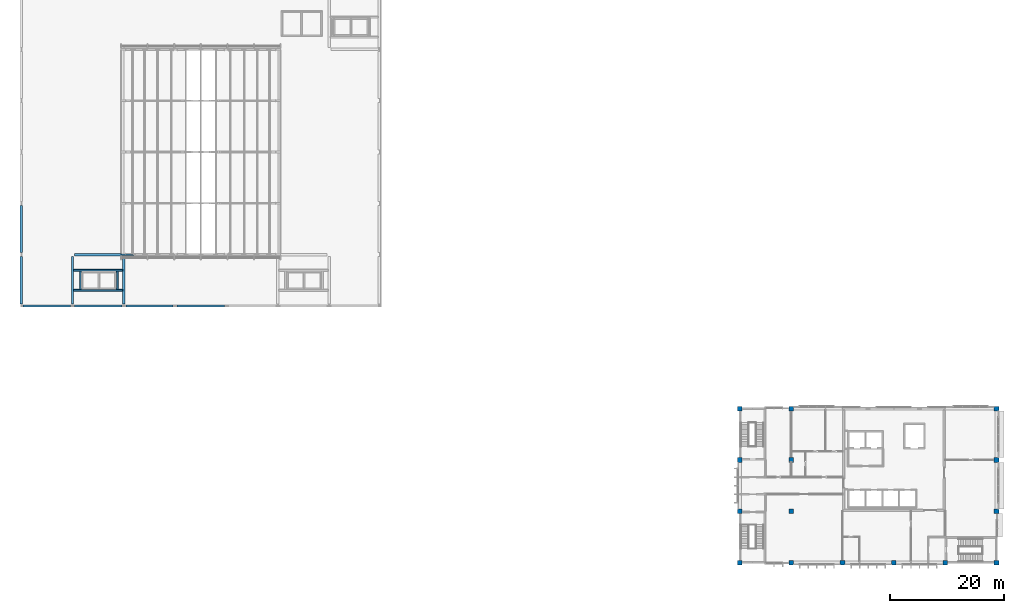
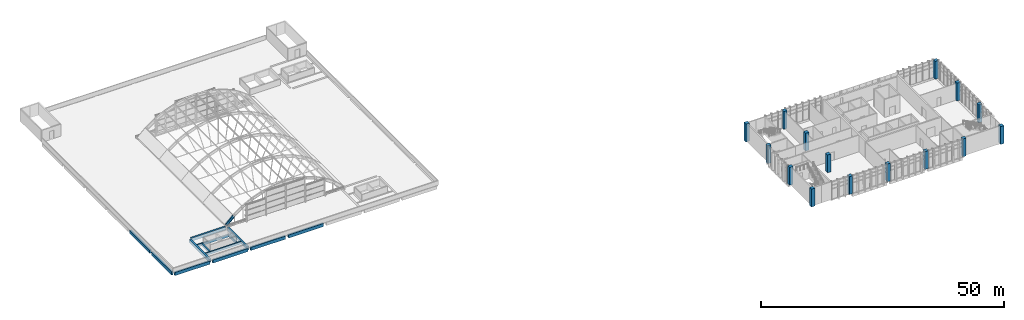
# One storey, part 1 of 43: 15 columns, 14 beams.
"""IFC4 building model written with IfcOpenShell, lengths in metres."""

from ifc_helpers import new_model, si_unit, direction, frame, origin, origin_2d, place, context, subcontext, project, spatial, rectangle, i_section, extrude, material, material_profile, profile_set, type_object, element, save


model = new_model("IFC4")

# Units and contexts
model_context = context("Model", 3, precision=1e-05, world=origin(), true_north=direction((0.0, 1.0)))
body_context = subcontext(model_context, "Body", "Model", "MODEL_VIEW")
ifc_project = project(units=[si_unit("LENGTHUNIT", "METRE"), si_unit("AREAUNIT", "SQUARE_METRE"), si_unit("VOLUMEUNIT", "CUBIC_METRE"), si_unit("PLANEANGLEUNIT", "RADIAN"), si_unit("MASSUNIT", "GRAM", prefix="KILO")], contexts=[model_context])

# Site, building, storey
site_placement = place(None, origin())
site = spatial("IfcSite", under=ifc_project, at=site_placement, CompositionType="ELEMENT")
building_placement = place(site_placement, origin())
building = spatial("IfcBuilding", under=site, at=building_placement, Name="Guidao Yard Department Store", CompositionType="ELEMENT")
storey_placement = place(building_placement, frame((0.0, 0.0, 28.5)))
storey = spatial("IfcBuildingStorey", under=building, at=storey_placement, Name="L06", CompositionType="ELEMENT", Elevation=28.5)

# Columns
ifc_material_1 = material(Name="Concrete C40", Category="concrete")
ifc_material_profile_1 = material_profile(ifc_material_1, rectangle(XDim=0.800048828125, YDim=0.800048828125, at=origin_2d()), Name="COL 800x800")
ifc_profile_set_1 = profile_set([ifc_material_profile_1], Name="Concrete C40")
column_type = type_object("IfcColumnType", Name="Column 800x800 C40", PredefinedType="COLUMN", material=ifc_profile_set_1)
for number, where, z_axis, x_axis, name in (
    (1, (126.0, 0.0, 0.0), (0.0, 0.0, 1.0), (1.0, 0.0, 0.0), "Column 15/A L06"),
    (2, (135.0, 0.0, 0.0), (0.0, 0.0, 1.0), (1.0, 0.0, 0.0), "Column 16/A L06"),
    (3, (144.0, 0.0, 0.0), (0.0, 0.0, 1.0), (1.0, 0.0, 0.0), "Column 17/A L06"),
    (4, (153.0, 0.0, 0.0), (0.0, 0.0, 1.0), (1.0, 0.0, 0.0), "Column 18/A L06"),
    (5, (162.0, 0.0, 0.0), (0.0, 0.0, 1.0), (1.0, 0.0, 0.0), "Column 19/A L06"),
    (6, (171.0, 0.0, 0.0), (0.0, 0.0, 1.0), (1.0, 0.0, 0.0), "Column 20/A L06"),
    (7, (126.0, 9.0, 0.0), (0.0, 0.0, 1.0), (1.0, 0.0, 0.0), "Column 15/B L06"),
    (8, (135.0, 9.0, 0.0), (0.0, 0.0, 1.0), (1.0, 0.0, 0.0), "Column 16/B L06"),
    (9, (171.0, 9.0, 0.0), (0.0, 0.0, 1.0), (1.0, 0.0, 0.0), "Column 20/B L06"),
    (10, (126.0, 18.0, 0.0), (0.0, 0.0, 1.0), (1.0, 0.0, 0.0), "Column 15/C L06"),
    (11, (135.0, 18.0, 0.0), (0.0, 0.0, 1.0), (1.0, 0.0, 0.0), "Column 16/C L06"),
    (12, (171.0, 18.0, 0.0), (0.0, 0.0, 1.0), (1.0, 0.0, 0.0), "Column 20/C L06"),
    (13, (126.0, 27.0, 0.0), (0.0, 0.0, 1.0), (1.0, 0.0, 0.0), "Column 15/D L06"),
    (14, (135.0, 27.0, 0.0), (0.0, 0.0, 1.0), (1.0, 0.0, 0.0), "Column 16/D L06"),
    (15, (171.0, 27.0, 0.0), (0.0, 0.0, 1.0), (1.0, 0.0, 0.0), "Column 20/D L06"),
):
    element("IfcColumn", number, at=place(storey_placement, frame(where, z_axis=z_axis, x_axis=x_axis)), inside=storey, type_object=column_type, Name=name, PredefinedType="COLUMN", context=body_context, shape_type="SweptSolid", body=[
        extrude(rectangle(XDim=0.800048828125, YDim=0.800048828125, at=origin_2d()), origin(), (0.0, 0.0, 1.0), 4.5),
    ])

# Beams
ifc_material_2 = material(Name="Concrete C40", Category="concrete")
ifc_material_profile_2 = material_profile(ifc_material_2, rectangle(XDim=0.39990234375, YDim=0.800048828125, at=origin_2d()), Name="Edge beam 400 x 800 C40")
ifc_profile_set_2 = profile_set([ifc_material_profile_2], Name="Concrete C40")
beam_type_1 = type_object("IfcBeamType", Name="Edge beam 400 x 800 C40", PredefinedType="BEAM", material=ifc_profile_set_2)
beam_1_placement = place(storey_placement, frame((9.35009765625, 54.0, -0.39990234375), z_axis=(1.0, 0.0, 0.0), x_axis=(0.0, 1.0, 0.0)))
element("IfcBeam", 16, at=beam_1_placement, inside=storey, type_object=beam_type_1, Name="Beam EB25", PredefinedType="BEAM", context=body_context, shape_type="SweptSolid", body=[
    extrude(rectangle(XDim=0.39990234375, YDim=0.800048828125, at=origin_2d()), origin(), (0.0, 0.0, 1.0), 8.25),
])
beam_2_placement = place(storey_placement, frame((9.0, 45.35009765625, -0.39990234375), z_axis=(0.0, 1.0, 0.0), x_axis=(-1.0, 0.0, 0.0)))
element("IfcBeam", 17, at=beam_2_placement, inside=storey, type_object=beam_type_1, Name="Beam EB26", PredefinedType="BEAM", context=body_context, shape_type="SweptSolid", body=[
    extrude(rectangle(XDim=0.39990234375, YDim=0.800048828125, at=origin_2d()), origin(), (0.0, 0.0, 1.0), 8.2998046875),
])
beam_3_placement = place(storey_placement, frame((18.0, 45.35009765625, -0.39990234375), z_axis=(0.0, 1.0, 0.0), x_axis=(-1.0, 0.0, 0.0)))
element("IfcBeam", 18, at=beam_3_placement, inside=storey, type_object=beam_type_1, Name="Beam EB27", PredefinedType="BEAM", context=body_context, shape_type="SweptSolid", body=[
    extrude(rectangle(XDim=0.39990234375, YDim=0.800048828125, at=origin_2d()), origin(), (0.0, 0.0, 1.0), 8.25),
])
ifc_material_3 = material(Name="Steel Q355B", Category="steel")
ifc_material_profile_3 = material_profile(ifc_material_3, i_section(OverallWidth=0.300048828125, OverallDepth=0.699951171875, WebThickness=0.012939453125, FlangeThickness=0.02392578125, FilletRadius=0.01806640625, at=origin_2d()), Name="HN 700x300x13x24")
ifc_profile_set_3 = profile_set([ifc_material_profile_3], Name="Steel Q355B")
beam_type_2 = type_object("IfcBeamType", Name="HN 700x300x13x24", PredefinedType="BEAM", material=ifc_profile_set_3)
beam_4_placement = place(storey_placement, frame((17.74462890625, 54.0, 0.25439453125), z_axis=(0.726628290109, 0.0, 0.687030805724), x_axis=(0.0, 1.0, 0.0)))
element("IfcBeam", 19, at=beam_4_placement, inside=storey, type_object=beam_type_2, Name="Roof rib A01-01", PredefinedType="BEAM", context=body_context, shape_type="SweptSolid", body=[
    extrude(i_section(OverallWidth=0.300048828125, OverallDepth=0.699951171875, WebThickness=0.012939453125, FlangeThickness=0.02392578125, FilletRadius=0.01806640625, at=origin_2d()), origin(), (0.0, 0.0, 1.0), 2.533935546875),
])
ifc_material_4 = material(Name="Concrete C40", Category="concrete")
ifc_material_profile_4 = material_profile(ifc_material_4, rectangle(XDim=0.300048828125, YDim=0.60009765625, at=origin_2d()), Name="Opening beam 300 x 600 C40")
ifc_profile_set_4 = profile_set([ifc_material_profile_4], Name="Concrete C40")
beam_type_3 = type_object("IfcBeamType", Name="Opening beam 300 x 600 C40", PredefinedType="BEAM", material=ifc_profile_set_4)
for number, where, z_axis, x_axis, name in (
    (20, (9.199951171875, 47.75, -0.300048828125), (1.0, 0.0, 0.0), (0.0, 1.0, 0.0), "Beam OB01"),
    (21, (9.199951171875, 51.25, -0.300048828125), (1.0, 0.0, 0.0), (0.0, 1.0, 0.0), "Beam OB02"),
):
    element("IfcBeam", number, at=place(storey_placement, frame(where, z_axis=z_axis, x_axis=x_axis)), inside=storey, type_object=beam_type_3, Name=name, PredefinedType="BEAM", context=body_context, shape_type="SweptSolid", body=[
        extrude(rectangle(XDim=0.300048828125, YDim=0.60009765625, at=origin_2d()), origin(), (0.0, 0.0, 1.0), 8.60009765625),
    ])
for number, where, z_axis, x_axis, name in (
    (22, (10.39990234375, 47.89990234375, -0.300048828125), (0.0, 1.0, 0.0), (-1.0, 0.0, 0.0), "Beam OB03"),
    (23, (16.85009765625, 47.89990234375, -0.300048828125), (0.0, 1.0, 0.0), (-1.0, 0.0, 0.0), "Beam OB04"),
):
    element("IfcBeam", number, at=place(storey_placement, frame(where, z_axis=z_axis, x_axis=x_axis)), inside=storey, type_object=beam_type_3, Name=name, PredefinedType="BEAM", context=body_context, shape_type="SweptSolid", body=[
        extrude(rectangle(XDim=0.300048828125, YDim=0.60009765625, at=origin_2d()), origin(), (0.0, 0.0, 1.0), 3.2001953125),
    ])
ifc_material_5 = material(Name="Concrete C40", Category="concrete")
ifc_material_profile_5 = material_profile(ifc_material_5, rectangle(XDim=0.39990234375, YDim=0.800048828125, at=origin_2d()), Name="Spandrel beam 400 x 800 C40")
ifc_profile_set_5 = profile_set([ifc_material_profile_5], Name="Concrete C40")
beam_type_4 = type_object("IfcBeamType", Name="Spandrel beam 400 x 800 C40", PredefinedType="SPANDREL", material=ifc_profile_set_5)
for number, where, z_axis, x_axis, name in (
    (24, (0.35009765625, 45.0, -0.39990234375), (1.0, 0.0, 0.0), (0.0, 1.0, 0.0), "Beam EB12"),
    (25, (9.35009765625, 45.0, -0.39990234375), (1.0, 0.0, 0.0), (0.0, 1.0, 0.0), "Beam EB13"),
    (26, (18.35009765625, 45.0, -0.39990234375), (1.0, 0.0, 0.0), (0.0, 1.0, 0.0), "Beam EB14"),
    (27, (27.35009765625, 45.0, -0.39990234375), (1.0, 0.0, 0.0), (0.0, 1.0, 0.0), "Beam EB15"),
    (28, (0.0, 45.35009765625, -0.39990234375), (0.0, 1.0, 0.0), (-1.0, 0.0, 0.0), "Beam EB19"),
    (29, (0.0, 54.35009765625, -0.39990234375), (0.0, 1.0, 0.0), (-1.0, 0.0, 0.0), "Beam EB20"),
):
    element("IfcBeam", number, at=place(storey_placement, frame(where, z_axis=z_axis, x_axis=x_axis)), inside=storey, type_object=beam_type_4, Name=name, PredefinedType="SPANDREL", context=body_context, shape_type="SweptSolid", body=[
        extrude(rectangle(XDim=0.39990234375, YDim=0.800048828125, at=origin_2d()), origin(), (0.0, 0.0, 1.0), 8.2998046875),
    ])

save(model, "model.ifc")
